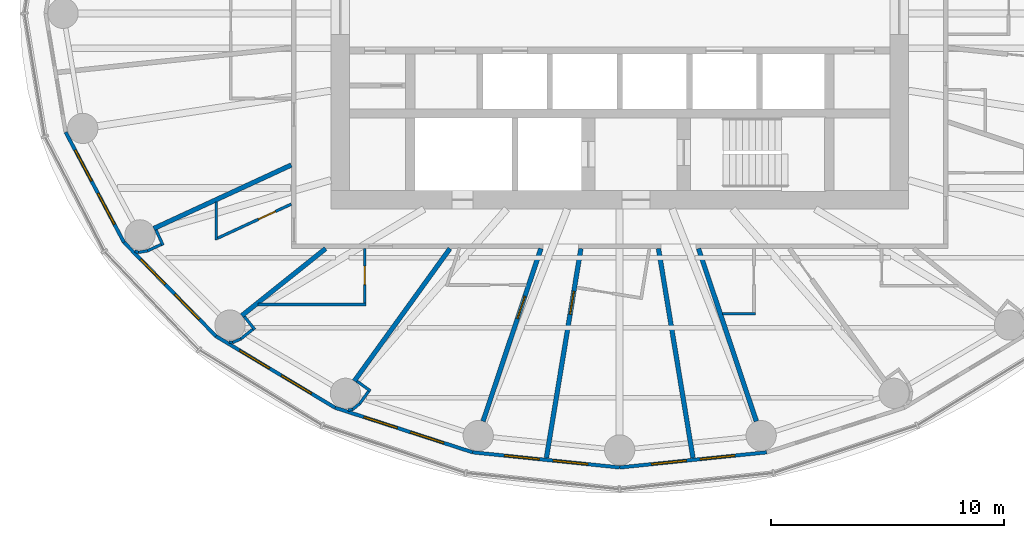
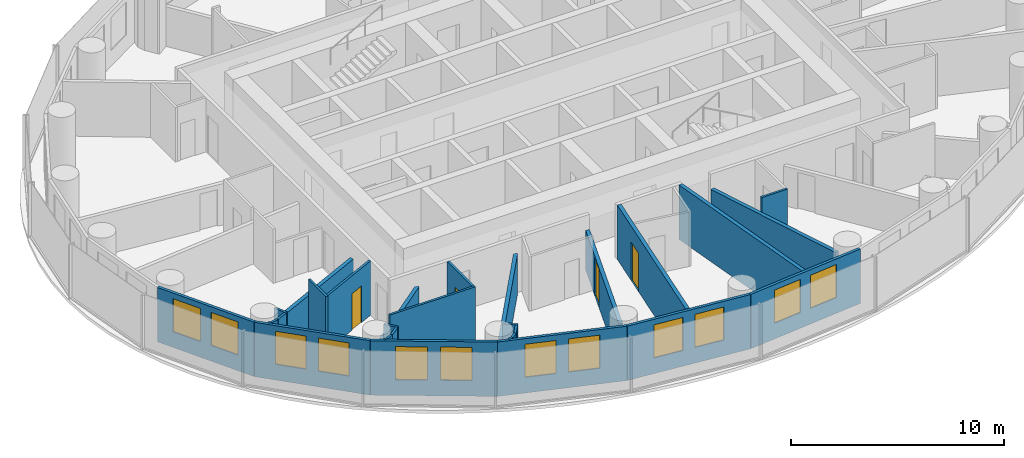
# One storey, part 6 of 13: 30 walls, 12 windows, 4 doors, 16 openings.
"""IFC4 building model written with IfcOpenShell, lengths in metres."""

from ifc_helpers import new_model, si_unit, direction, frame, frame_2d, origin, place, context, subcontext, project, spatial, rectangle, extrude, material, layer, layer_set, type_object, element, fill, save


model = new_model("IFC4")

# Units and contexts
model_context = context("Model", 3, precision=1e-05, world=origin(), true_north=direction((0.0, 1.0)))
body_context = subcontext(model_context, "Body", "Model", "MODEL_VIEW")
ifc_project = project(units=[si_unit("LENGTHUNIT", "METRE"), si_unit("AREAUNIT", "SQUARE_METRE"), si_unit("VOLUMEUNIT", "CUBIC_METRE"), si_unit("PLANEANGLEUNIT", "RADIAN"), si_unit("MASSUNIT", "GRAM", prefix="KILO")], contexts=[model_context])

# Site, building, storey
site_placement = place(None, origin())
site = spatial("IfcSite", under=ifc_project, at=site_placement, CompositionType="ELEMENT")
building_placement = place(site_placement, origin())
building = spatial("IfcBuilding", under=site, at=building_placement, Name="Hankou Lantern Tower", CompositionType="ELEMENT")
storey_placement = place(building_placement, frame((0.0, 0.0, 132.0)))
storey = spatial("IfcBuildingStorey", under=building, at=storey_placement, Name="L34", CompositionType="ELEMENT", Elevation=132.0)

# Wall, openings, windows
ifc_material_1 = material(Name="Aluminium spandrel panel on steel studs", Category="steel")
ifc_layer_1 = layer(ifc_material_1, 0.14990234375)
ifc_layer_set_1 = layer_set([ifc_layer_1], Name="Aluminium spandrel panel on steel studs")
wall_type_1 = type_object("IfcWallType", Name="EW1 INNER SKIN WALL 150", PredefinedType="ELEMENTEDWALL", material=ifc_layer_set_1)
wall_1_placement = place(storey_placement, frame((-23.7919921875, -5.10009765625, 0.0), z_axis=(0.0, 0.0, 1.0), x_axis=(0.467814388454, -0.883826735257, 0.0)))
wall_1 = element("IfcWall", 1, at=wall_1_placement, inside=storey, type_object=wall_type_1, Name="Inner skin R14-R15 L34", PredefinedType="ELEMENTEDWALL", context=body_context, shape_type="SweptSolid", body=[
    extrude(rectangle(XDim=5.35400390625, YDim=0.14990234375, at=frame_2d((2.677001953125, 0.0))), origin(), (0.0, 0.0, 1.0), 3.1201171875),
])
opening_1_placement = place(wall_1_placement, frame((0.876953125, 0.0, 0.89990234375)))
opening_1 = element("IfcOpeningElement", 2, at=opening_1_placement, cuts=wall_1, Name="Opening W2", PredefinedType="OPENING", context=body_context, shape_type="SweptSolid", body=[
    extrude(rectangle(XDim=1.5, YDim=1.89990234375, at=frame_2d((0.75, 0.949951171875))), frame((0.0, 0.0849609375, 0.0), z_axis=(0.0, -1.0, 0.0), x_axis=(1.0, 0.0, 0.0)), (0.0, 0.0, 1.0), 0.169921875),
])
opening_2_placement = place(wall_1_placement, frame((2.97705078125, 0.0, 0.89990234375)))
opening_2 = element("IfcOpeningElement", 3, at=opening_2_placement, cuts=wall_1, Name="Opening W2", PredefinedType="OPENING", context=body_context, shape_type="SweptSolid", body=[
    extrude(rectangle(XDim=1.5, YDim=1.89990234375, at=frame_2d((0.75, 0.949951171875))), frame((0.0, 0.0849609375, 0.0), z_axis=(0.0, -1.0, 0.0), x_axis=(1.0, 0.0, 0.0)), (0.0, 0.0, 1.0), 0.169921875),
])
ifc_material_2 = material(Name="Aluminium framed double glazed window", Category="aluminium")
window_type = type_object("IfcWindowType", Name="W2 GUEST ROOM WINDOW 1500X1900", PartitioningType="DOUBLE_PANEL_VERTICAL", PredefinedType="WINDOW", material=ifc_material_2)
window_1_placement = place(opening_1_placement, origin())
window_1 = element("IfcWindow", 4, at=window_1_placement, inside=storey, type_object=window_type, Name="Window R14.1 L34", OverallHeight=1.89990234375, OverallWidth=1.5, PartitioningType="SINGLE_PANEL", PredefinedType="WINDOW", context=body_context, shape_type="SweptSolid", body=[
    extrude(rectangle(XDim=1.5, YDim=1.89990234375, at=frame_2d((0.75, 0.949951171875))), frame((0.0, 0.030029296875, 0.0), z_axis=(0.0, -1.0, 0.0), x_axis=(1.0, 0.0, 0.0)), (0.0, 0.0, 1.0), 0.06005859375),
])
fill(opening_1, window_1)
window_2_placement = place(opening_2_placement, origin())
window_2 = element("IfcWindow", 5, at=window_2_placement, inside=storey, type_object=window_type, Name="Window R14.2 L34", OverallHeight=1.89990234375, OverallWidth=1.5, PartitioningType="SINGLE_PANEL", PredefinedType="WINDOW", context=body_context, shape_type="SweptSolid", body=[
    extrude(rectangle(XDim=1.5, YDim=1.89990234375, at=frame_2d((0.75, 0.949951171875))), frame((0.0, 0.030029296875, 0.0), z_axis=(0.0, -1.0, 0.0), x_axis=(1.0, 0.0, 0.0)), (0.0, 0.0, 1.0), 0.06005859375),
])
fill(opening_2, window_2)

wall_2_placement = place(storey_placement, frame((-21.287353515625, -9.83203125, 0.0), z_axis=(0.0, 0.0, 1.0), x_axis=(0.700136650834, -0.714008872605, 0.0)))
wall_2 = element("IfcWall", 6, at=wall_2_placement, inside=storey, type_object=wall_type_1, Name="Inner skin R15-R16 L34", PredefinedType="ELEMENTEDWALL", context=body_context, shape_type="SweptSolid", body=[
    extrude(rectangle(XDim=5.6494140625, YDim=0.14990234375, at=frame_2d((2.82470703125, 0.0))), origin(), (0.0, 0.0, 1.0), 3.1201171875),
])
opening_3_placement = place(wall_2_placement, frame((1.024658203125, 0.0, 0.89990234375)))
opening_3 = element("IfcOpeningElement", 7, at=opening_3_placement, cuts=wall_2, Name="Opening W2", PredefinedType="OPENING", context=body_context, shape_type="SweptSolid", body=[
    extrude(rectangle(XDim=1.5, YDim=1.89990234375, at=frame_2d((0.75, 0.949951171875))), frame((0.0, 0.0849609375, 0.0), z_axis=(0.0, -1.0, 0.0), x_axis=(1.0, 0.0, 0.0)), (0.0, 0.0, 1.0), 0.169921875),
])
opening_4_placement = place(wall_2_placement, frame((3.12451171875, 0.0, 0.89990234375)))
opening_4 = element("IfcOpeningElement", 8, at=opening_4_placement, cuts=wall_2, Name="Opening W2", PredefinedType="OPENING", context=body_context, shape_type="SweptSolid", body=[
    extrude(rectangle(XDim=1.5, YDim=1.89990234375, at=frame_2d((0.75, 0.949951171875))), frame((0.0, 0.0849609375, 0.0), z_axis=(0.0, -1.0, 0.0), x_axis=(1.0, 0.0, 0.0)), (0.0, 0.0, 1.0), 0.169921875),
])
window_3_placement = place(opening_3_placement, origin())
window_3 = element("IfcWindow", 9, at=window_3_placement, inside=storey, type_object=window_type, Name="Window R15.1 L34", OverallHeight=1.89990234375, OverallWidth=1.5, PartitioningType="SINGLE_PANEL", PredefinedType="WINDOW", context=body_context, shape_type="SweptSolid", body=[
    extrude(rectangle(XDim=1.5, YDim=1.89990234375, at=frame_2d((0.75, 0.949951171875))), frame((0.0, 0.030029296875, 0.0), z_axis=(0.0, -1.0, 0.0), x_axis=(1.0, 0.0, 0.0)), (0.0, 0.0, 1.0), 0.06005859375),
])
fill(opening_3, window_3)
window_4_placement = place(opening_4_placement, origin())
window_4 = element("IfcWindow", 10, at=window_4_placement, inside=storey, type_object=window_type, Name="Window R15.2 L34", OverallHeight=1.89990234375, OverallWidth=1.5, PartitioningType="SINGLE_PANEL", PredefinedType="WINDOW", context=body_context, shape_type="SweptSolid", body=[
    extrude(rectangle(XDim=1.5, YDim=1.89990234375, at=frame_2d((0.75, 0.949951171875))), frame((0.0, 0.030029296875, 0.0), z_axis=(0.0, -1.0, 0.0), x_axis=(1.0, 0.0, 0.0)), (0.0, 0.0, 1.0), 0.06005859375),
])
fill(opening_4, window_4)

wall_3_placement = place(storey_placement, frame((-17.33203125, -13.86572265625, 0.0), z_axis=(0.0, 0.0, 1.0), x_axis=(0.857308573723, -0.514802884044, 0.0)))
wall_3 = element("IfcWall", 11, at=wall_3_placement, inside=storey, type_object=wall_type_1, Name="Inner skin R16-R17 L34", PredefinedType="ELEMENTEDWALL", context=body_context, shape_type="SweptSolid", body=[
    extrude(rectangle(XDim=5.961181640625, YDim=0.14990234375, at=frame_2d((2.98046875, 0.0))), origin(), (0.0, 0.0, 1.0), 3.1201171875),
])
opening_5_placement = place(wall_3_placement, frame((1.1806640625, 0.0, 0.89990234375)))
opening_5 = element("IfcOpeningElement", 12, at=opening_5_placement, cuts=wall_3, Name="Opening W2", PredefinedType="OPENING", context=body_context, shape_type="SweptSolid", body=[
    extrude(rectangle(XDim=1.5, YDim=1.89990234375, at=frame_2d((0.75, 0.949951171875))), frame((0.0, 0.0849609375, 0.0), z_axis=(0.0, -1.0, 0.0), x_axis=(1.0, 0.0, 0.0)), (0.0, 0.0, 1.0), 0.169921875),
])
opening_6_placement = place(wall_3_placement, frame((3.280517578125, 0.0, 0.89990234375)))
opening_6 = element("IfcOpeningElement", 13, at=opening_6_placement, cuts=wall_3, Name="Opening W2", PredefinedType="OPENING", context=body_context, shape_type="SweptSolid", body=[
    extrude(rectangle(XDim=1.5, YDim=1.89990234375, at=frame_2d((0.75, 0.949951171875))), frame((0.0, 0.0849609375, 0.0), z_axis=(0.0, -1.0, 0.0), x_axis=(1.0, 0.0, 0.0)), (0.0, 0.0, 1.0), 0.169921875),
])
window_5_placement = place(opening_5_placement, origin())
window_5 = element("IfcWindow", 14, at=window_5_placement, inside=storey, type_object=window_type, Name="Window R16.1 L34", OverallHeight=1.89990234375, OverallWidth=1.5, PartitioningType="SINGLE_PANEL", PredefinedType="WINDOW", context=body_context, shape_type="SweptSolid", body=[
    extrude(rectangle(XDim=1.5, YDim=1.89990234375, at=frame_2d((0.75, 0.949951171875))), frame((0.0, 0.030029296875, 0.0), z_axis=(0.0, -1.0, 0.0), x_axis=(1.0, 0.0, 0.0)), (0.0, 0.0, 1.0), 0.06005859375),
])
fill(opening_5, window_5)
window_6_placement = place(opening_6_placement, origin())
window_6 = element("IfcWindow", 15, at=window_6_placement, inside=storey, type_object=window_type, Name="Window R16.2 L34", OverallHeight=1.89990234375, OverallWidth=1.5, PartitioningType="SINGLE_PANEL", PredefinedType="WINDOW", context=body_context, shape_type="SweptSolid", body=[
    extrude(rectangle(XDim=1.5, YDim=1.89990234375, at=frame_2d((0.75, 0.949951171875))), frame((0.0, 0.030029296875, 0.0), z_axis=(0.0, -1.0, 0.0), x_axis=(1.0, 0.0, 0.0)), (0.0, 0.0, 1.0), 0.06005859375),
])
fill(opening_6, window_6)

wall_4_placement = place(storey_placement, frame((-12.221435546875, -16.9345703125, 0.0), z_axis=(0.0, 0.0, 1.0), x_axis=(0.951272691506, -0.308350881944, 0.0)))
wall_4 = element("IfcWall", 16, at=wall_4_placement, inside=storey, type_object=wall_type_1, Name="Inner skin R17-R18 L34", PredefinedType="ELEMENTEDWALL", context=body_context, shape_type="SweptSolid", body=[
    extrude(rectangle(XDim=6.210693359375, YDim=0.14990234375, at=frame_2d((3.10546875, 0.0))), origin(), (0.0, 0.0, 1.0), 3.1201171875),
])
opening_7_placement = place(wall_4_placement, frame((1.305419921875, 0.0, 0.89990234375)))
opening_7 = element("IfcOpeningElement", 17, at=opening_7_placement, cuts=wall_4, Name="Opening W2", PredefinedType="OPENING", context=body_context, shape_type="SweptSolid", body=[
    extrude(rectangle(XDim=1.5, YDim=1.89990234375, at=frame_2d((0.75, 0.949951171875))), frame((0.0, 0.0849609375, 0.0), z_axis=(0.0, -1.0, 0.0), x_axis=(1.0, 0.0, 0.0)), (0.0, 0.0, 1.0), 0.169921875),
])
opening_8_placement = place(wall_4_placement, frame((3.4052734375, 0.0, 0.89990234375)))
opening_8 = element("IfcOpeningElement", 18, at=opening_8_placement, cuts=wall_4, Name="Opening W2", PredefinedType="OPENING", context=body_context, shape_type="SweptSolid", body=[
    extrude(rectangle(XDim=1.5, YDim=1.89990234375, at=frame_2d((0.75, 0.949951171875))), frame((0.0, 0.0849609375, 0.0), z_axis=(0.0, -1.0, 0.0), x_axis=(1.0, 0.0, 0.0)), (0.0, 0.0, 1.0), 0.169921875),
])
window_7_placement = place(opening_7_placement, origin())
window_7 = element("IfcWindow", 19, at=window_7_placement, inside=storey, type_object=window_type, Name="Window R17.1 L34", OverallHeight=1.89990234375, OverallWidth=1.5, PartitioningType="SINGLE_PANEL", PredefinedType="WINDOW", context=body_context, shape_type="SweptSolid", body=[
    extrude(rectangle(XDim=1.5, YDim=1.89990234375, at=frame_2d((0.75, 0.949951171875))), frame((0.0, 0.030029296875, 0.0), z_axis=(0.0, -1.0, 0.0), x_axis=(1.0, 0.0, 0.0)), (0.0, 0.0, 1.0), 0.06005859375),
])
fill(opening_7, window_7)
window_8_placement = place(opening_8_placement, origin())
window_8 = element("IfcWindow", 20, at=window_8_placement, inside=storey, type_object=window_type, Name="Window R17.2 L34", OverallHeight=1.89990234375, OverallWidth=1.5, PartitioningType="SINGLE_PANEL", PredefinedType="WINDOW", context=body_context, shape_type="SweptSolid", body=[
    extrude(rectangle(XDim=1.5, YDim=1.89990234375, at=frame_2d((0.75, 0.949951171875))), frame((0.0, 0.030029296875, 0.0), z_axis=(0.0, -1.0, 0.0), x_axis=(1.0, 0.0, 0.0)), (0.0, 0.0, 1.0), 0.06005859375),
])
fill(opening_8, window_8)

wall_5_placement = place(storey_placement, frame((-6.3134765625, -18.849609375, 0.0), z_axis=(0.0, 0.0, 1.0), x_axis=(0.994735690163, -0.102473931887, 0.0)))
wall_5 = element("IfcWall", 21, at=wall_5_placement, inside=storey, type_object=wall_type_1, Name="Inner skin R18-R19 L34", PredefinedType="ELEMENTEDWALL", context=body_context, shape_type="SweptSolid", body=[
    extrude(rectangle(XDim=6.346923828125, YDim=0.14990234375, at=frame_2d((3.17333984375, 0.0))), origin(), (0.0, 0.0, 1.0), 3.1201171875),
])
opening_9_placement = place(wall_5_placement, frame((1.373291015625, 0.0, 0.89990234375)))
opening_9 = element("IfcOpeningElement", 22, at=opening_9_placement, cuts=wall_5, Name="Opening W2", PredefinedType="OPENING", context=body_context, shape_type="SweptSolid", body=[
    extrude(rectangle(XDim=1.5, YDim=1.89990234375, at=frame_2d((0.75, 0.949951171875))), frame((0.0, 0.0849609375, 0.0), z_axis=(0.0, -1.0, 0.0), x_axis=(1.0, 0.0, 0.0)), (0.0, 0.0, 1.0), 0.169921875),
])
opening_10_placement = place(wall_5_placement, frame((3.473388671875, 0.0, 0.89990234375)))
opening_10 = element("IfcOpeningElement", 23, at=opening_10_placement, cuts=wall_5, Name="Opening W2", PredefinedType="OPENING", context=body_context, shape_type="SweptSolid", body=[
    extrude(rectangle(XDim=1.5, YDim=1.89990234375, at=frame_2d((0.75, 0.949951171875))), frame((0.0, 0.0849609375, 0.0), z_axis=(0.0, -1.0, 0.0), x_axis=(1.0, 0.0, 0.0)), (0.0, 0.0, 1.0), 0.169921875),
])
window_9_placement = place(opening_9_placement, origin())
window_9 = element("IfcWindow", 24, at=window_9_placement, inside=storey, type_object=window_type, Name="Window R18.1 L34", OverallHeight=1.89990234375, OverallWidth=1.5, PartitioningType="SINGLE_PANEL", PredefinedType="WINDOW", context=body_context, shape_type="SweptSolid", body=[
    extrude(rectangle(XDim=1.5, YDim=1.89990234375, at=frame_2d((0.75, 0.949951171875))), frame((0.0, 0.030029296875, 0.0), z_axis=(0.0, -1.0, 0.0), x_axis=(1.0, 0.0, 0.0)), (0.0, 0.0, 1.0), 0.06005859375),
])
fill(opening_9, window_9)
window_10_placement = place(opening_10_placement, origin())
window_10 = element("IfcWindow", 25, at=window_10_placement, inside=storey, type_object=window_type, Name="Window R18.2 L34", OverallHeight=1.89990234375, OverallWidth=1.5, PartitioningType="SINGLE_PANEL", PredefinedType="WINDOW", context=body_context, shape_type="SweptSolid", body=[
    extrude(rectangle(XDim=1.5, YDim=1.89990234375, at=frame_2d((0.75, 0.949951171875))), frame((0.0, 0.030029296875, 0.0), z_axis=(0.0, -1.0, 0.0), x_axis=(1.0, 0.0, 0.0)), (0.0, 0.0, 1.0), 0.06005859375),
])
fill(opening_10, window_10)

wall_6_placement = place(storey_placement, frame((0.0, -19.5, 0.0), z_axis=(0.0, 0.0, 1.0), x_axis=(0.994735690163, 0.102473931887, 0.0)))
wall_6 = element("IfcWall", 26, at=wall_6_placement, inside=storey, type_object=wall_type_1, Name="Inner skin R19-R20 L34", PredefinedType="ELEMENTEDWALL", context=body_context, shape_type="SweptSolid", body=[
    extrude(rectangle(XDim=6.346923828125, YDim=0.14990234375, at=frame_2d((3.17333984375, 0.0))), origin(), (0.0, 0.0, 1.0), 3.1201171875),
])
opening_11_placement = place(wall_6_placement, frame((1.373291015625, 0.0, 0.89990234375)))
opening_11 = element("IfcOpeningElement", 27, at=opening_11_placement, cuts=wall_6, Name="Opening W2", PredefinedType="OPENING", context=body_context, shape_type="SweptSolid", body=[
    extrude(rectangle(XDim=1.5, YDim=1.89990234375, at=frame_2d((0.75, 0.949951171875))), frame((0.0, 0.0849609375, 0.0), z_axis=(0.0, -1.0, 0.0), x_axis=(1.0, 0.0, 0.0)), (0.0, 0.0, 1.0), 0.169921875),
])
opening_12_placement = place(wall_6_placement, frame((3.473388671875, 0.0, 0.89990234375)))
opening_12 = element("IfcOpeningElement", 28, at=opening_12_placement, cuts=wall_6, Name="Opening W2", PredefinedType="OPENING", context=body_context, shape_type="SweptSolid", body=[
    extrude(rectangle(XDim=1.5, YDim=1.89990234375, at=frame_2d((0.75, 0.949951171875))), frame((0.0, 0.0849609375, 0.0), z_axis=(0.0, -1.0, 0.0), x_axis=(1.0, 0.0, 0.0)), (0.0, 0.0, 1.0), 0.169921875),
])
window_11_placement = place(opening_11_placement, origin())
window_11 = element("IfcWindow", 29, at=window_11_placement, inside=storey, type_object=window_type, Name="Window R19.1 L34", OverallHeight=1.89990234375, OverallWidth=1.5, PartitioningType="SINGLE_PANEL", PredefinedType="WINDOW", context=body_context, shape_type="SweptSolid", body=[
    extrude(rectangle(XDim=1.5, YDim=1.89990234375, at=frame_2d((0.75, 0.949951171875))), frame((0.0, 0.030029296875, 0.0), z_axis=(0.0, -1.0, 0.0), x_axis=(1.0, 0.0, 0.0)), (0.0, 0.0, 1.0), 0.06005859375),
])
fill(opening_11, window_11)
window_12_placement = place(opening_12_placement, origin())
window_12 = element("IfcWindow", 30, at=window_12_placement, inside=storey, type_object=window_type, Name="Window R19.2 L34", OverallHeight=1.89990234375, OverallWidth=1.5, PartitioningType="SINGLE_PANEL", PredefinedType="WINDOW", context=body_context, shape_type="SweptSolid", body=[
    extrude(rectangle(XDim=1.5, YDim=1.89990234375, at=frame_2d((0.75, 0.949951171875))), frame((0.0, 0.030029296875, 0.0), z_axis=(0.0, -1.0, 0.0), x_axis=(1.0, 0.0, 0.0)), (0.0, 0.0, 1.0), 0.06005859375),
])
fill(opening_12, window_12)

# Walls
ifc_material_3 = material(Name="Masonry lightweight concrete block", Category="masonry")
ifc_layer_2 = layer(ifc_material_3, 0.199951171875)
ifc_layer_set_2 = layer_set([ifc_layer_2], Name="Masonry lightweight concrete block")
wall_type_2 = type_object("IfcWallType", Name="IW1 GUEST ROOM PARTY WALL 200", PredefinedType="PARTITIONING", material=ifc_layer_set_2)
wall_7_placement = place(storey_placement, frame((-14.10009765625, -6.512451171875, 0.0), z_axis=(0.0, 0.0, 1.0), x_axis=(-0.907833019998, -0.419331858797, 0.0)))
element("IfcWall", 31, at=wall_7_placement, inside=storey, type_object=wall_type_2, Name="Party wall R15", PredefinedType="PARTITIONING", context=body_context, shape_type="SweptSolid", body=[
    extrude(rectangle(XDim=6.505126953125, YDim=0.199951171875, at=frame_2d((3.25244140625, 0.0))), origin(), (0.0, 0.0, 1.0), 2.219970703125),
])
wall_8_placement = place(storey_placement, frame((-12.625, -10.10009765625, 0.0), z_axis=(0.0, 0.0, 1.0), x_axis=(-0.780863644897, -0.624701503182, 0.0)))
element("IfcWall", 32, at=wall_8_placement, inside=storey, type_object=wall_type_2, Name="Party wall R16", PredefinedType="PARTITIONING", context=body_context, shape_type="SweptSolid", body=[
    extrude(rectangle(XDim=4.612060546875, YDim=0.199951171875, at=frame_2d((2.30615234375, 0.0))), origin(), (0.0, 0.0, 1.0), 2.27001953125),
])
wall_9_placement = place(storey_placement, frame((-7.2890625, -10.10009765625, 0.0), z_axis=(0.0, 0.0, 1.0), x_axis=(-0.585217367024, -0.81087645997, 0.0)))
element("IfcWall", 33, at=wall_9_placement, inside=storey, type_object=wall_type_2, Name="Party wall R17", PredefinedType="PARTITIONING", context=body_context, shape_type="SweptSolid", body=[
    extrude(rectangle(XDim=7.01611328125, YDim=0.199951171875, at=frame_2d((3.508056640625, 0.0))), origin(), (0.0, 0.0, 1.0), 2.27001953125),
])

# Wall, opening, door
ifc_material_4 = material(Name="Masonry lightweight concrete block", Category="masonry")
ifc_layer_3 = layer(ifc_material_4, 0.199951171875)
ifc_layer_set_3 = layer_set([ifc_layer_3], Name="Masonry lightweight concrete block")
wall_type_3 = type_object("IfcWallType", Name="IW2 CORRIDOR WALL 200", PredefinedType="PARTITIONING", material=ifc_layer_set_3)
wall_10_placement = place(storey_placement, frame((-3.3828125, -10.10009765625, 0.0), z_axis=(0.0, 0.0, 1.0), x_axis=(-0.317603705574, -0.948223542318, 0.0)))
wall_10 = element("IfcWall", 34, at=wall_10_placement, inside=storey, type_object=wall_type_3, Name="Corridor spur wall R18", PredefinedType="PARTITIONING", context=body_context, shape_type="SweptSolid", body=[
    extrude(rectangle(XDim=7.822998046875, YDim=0.199951171875, at=frame_2d((3.91162109375, 0.0))), origin(), (0.0, 0.0, 1.0), 2.27001953125),
])
opening_13_placement = place(wall_10_placement, frame((2.168212890625, 0.0, 0.0)))
opening_13 = element("IfcOpeningElement", 35, at=opening_13_placement, cuts=wall_10, Name="Opening D1", PredefinedType="OPENING", context=body_context, shape_type="SweptSolid", body=[
    extrude(rectangle(XDim=1.0, YDim=2.199951171875, at=frame_2d((0.5, 1.10009765625))), frame((0.0, 0.10986328125, 0.0), z_axis=(0.0, -1.0, 0.0), x_axis=(1.0, 0.0, 0.0)), (0.0, 0.0, 1.0), 0.219970703125),
])
ifc_material_5 = material(Name="Steel door leaf", Category="steel")
door_type_1 = type_object("IfcDoorType", Name="D1 GUEST ROOM DOOR 1000X2200", OperationType="SINGLE_SWING_LEFT", PredefinedType="DOOR", material=ifc_material_5)
door_1_placement = place(opening_13_placement, origin())
door_1 = element("IfcDoor", 36, at=door_1_placement, inside=storey, type_object=door_type_1, Name="Guest room door 3410", OperationType="SINGLE_SWING_LEFT", OverallHeight=2.199951171875, OverallWidth=1.0, PredefinedType="DOOR", context=body_context, shape_type="SweptSolid", body=[
    extrude(rectangle(XDim=1.0, YDim=2.199951171875, at=frame_2d((0.5, 1.10009765625))), frame((0.0, 0.02490234375, 0.0), z_axis=(0.0, -1.0, 0.0), x_axis=(1.0, 0.0, 0.0)), (0.0, 0.0, 1.0), 0.050048828125),
])
fill(opening_13, door_1)

wall_11_placement = place(storey_placement, frame((-1.665283203125, -10.10009765625, 0.0), z_axis=(0.0, 0.0, 1.0), x_axis=(-0.162660519103, -0.986682094459, 0.0)))
wall_11 = element("IfcWall", 37, at=wall_11_placement, inside=storey, type_object=wall_type_3, Name="Corridor spur wall R18-R19", PredefinedType="PARTITIONING", context=body_context, shape_type="SweptSolid", body=[
    extrude(rectangle(XDim=9.110595703125, YDim=0.199951171875, at=frame_2d((4.55517578125, 0.0))), origin(), (0.0, 0.0, 1.0), 3.1201171875),
])
opening_14_placement = place(wall_11_placement, frame((1.860107421875, 0.0, 0.0)))
opening_14 = element("IfcOpeningElement", 38, at=opening_14_placement, cuts=wall_11, Name="Opening D1", PredefinedType="OPENING", context=body_context, shape_type="SweptSolid", body=[
    extrude(rectangle(XDim=1.0, YDim=2.199951171875, at=frame_2d((0.5, 1.10009765625))), frame((0.0, 0.10986328125, 0.0), z_axis=(0.0, -1.0, 0.0), x_axis=(1.0, 0.0, 0.0)), (0.0, 0.0, 1.0), 0.219970703125),
])
door_2_placement = place(opening_14_placement, origin())
door_2 = element("IfcDoor", 39, at=door_2_placement, inside=storey, type_object=door_type_1, Name="Guest room door 3412", OperationType="SINGLE_SWING_LEFT", OverallHeight=2.199951171875, OverallWidth=1.0, PredefinedType="DOOR", context=body_context, shape_type="SweptSolid", body=[
    extrude(rectangle(XDim=1.0, YDim=2.199951171875, at=frame_2d((0.5, 1.10009765625))), frame((0.0, 0.02490234375, 0.0), z_axis=(0.0, -1.0, 0.0), x_axis=(1.0, 0.0, 0.0)), (0.0, 0.0, 1.0), 0.050048828125),
])
fill(opening_14, door_2)

# Walls
wall_12_placement = place(storey_placement, frame((1.665283203125, -10.10009765625, 0.0), z_axis=(0.0, 0.0, 1.0), x_axis=(0.162660519103, -0.986682094459, 0.0)))
element("IfcWall", 40, at=wall_12_placement, inside=storey, type_object=wall_type_3, Name="Corridor spur wall R19-R20", PredefinedType="PARTITIONING", context=body_context, shape_type="SweptSolid", body=[
    extrude(rectangle(XDim=9.110595703125, YDim=0.199951171875, at=frame_2d((4.55517578125, 0.0))), origin(), (0.0, 0.0, 1.0), 3.1201171875),
])
wall_13_placement = place(storey_placement, frame((3.3828125, -10.10009765625, 0.0), z_axis=(0.0, 0.0, 1.0), x_axis=(0.317603705574, -0.948223542318, 0.0)))
element("IfcWall", 41, at=wall_13_placement, inside=storey, type_object=wall_type_3, Name="Corridor spur wall R20", PredefinedType="PARTITIONING", context=body_context, shape_type="SweptSolid", body=[
    extrude(rectangle(XDim=7.822998046875, YDim=0.199951171875, at=frame_2d((3.91162109375, 0.0))), origin(), (0.0, 0.0, 1.0), 2.27001953125),
])
ifc_material_6 = material(Name="Masonry lightweight concrete block", Category="masonry")
ifc_layer_4 = layer(ifc_material_6, 0.1201171875)
ifc_layer_set_4 = layer_set([ifc_layer_4], Name="Masonry lightweight concrete block")
wall_type_4 = type_object("IfcWallType", Name="IW3 BATHROOM WALL 120", PredefinedType="PARTITIONING", material=ifc_layer_set_4)
wall_14_placement = place(storey_placement, frame((-17.32275390625, -8.10107421875, 0.0), z_axis=(0.0, 0.0, 1.0), x_axis=(0.0, -1.0, 0.0)))
element("IfcWall", 42, at=wall_14_placement, inside=storey, type_object=wall_type_4, Name="Box wall 3408 1", PredefinedType="PARTITIONING", context=body_context, shape_type="SweptSolid", body=[
    extrude(rectangle(XDim=1.639892578125, YDim=0.1201171875, at=frame_2d((0.81982421875, 0.0))), origin(), (0.0, 0.0, 1.0), 3.1201171875),
])

# Wall, opening, door
wall_15_placement = place(storey_placement, frame((-14.10009765625, -8.192626953125, 0.0), z_axis=(0.0, 0.0, 1.0), x_axis=(-0.907836493557, -0.419324338628, 0.0)))
wall_15 = element("IfcWall", 43, at=wall_15_placement, inside=storey, type_object=wall_type_4, Name="Box wall 3408 1", PredefinedType="PARTITIONING", context=body_context, shape_type="SweptSolid", body=[
    extrude(rectangle(XDim=3.48974609375, YDim=0.1201171875, at=frame_2d((1.744873046875, 0.0))), origin(), (0.0, 0.0, 1.0), 3.1201171875),
])
opening_15_placement = place(wall_15_placement, frame((0.75, 0.0, 0.0)))
opening_15 = element("IfcOpeningElement", 44, at=opening_15_placement, cuts=wall_15, Name="Opening D3", PredefinedType="OPENING", context=body_context, shape_type="SweptSolid", body=[
    extrude(rectangle(XDim=0.800048828125, YDim=2.10009765625, at=frame_2d((0.39990234375, 1.050048828125))), frame((0.0, 0.070068359375, 0.0), z_axis=(0.0, -1.0, 0.0), x_axis=(1.0, 0.0, 0.0)), (0.0, 0.0, 1.0), 0.14013671875),
])
ifc_material_7 = material(Name="Timber door leaf", Category="wood")
door_type_2 = type_object("IfcDoorType", Name="D3 BATHROOM DOOR 800X2100", OperationType="SINGLE_SWING_LEFT", PredefinedType="DOOR", material=ifc_material_7)
door_3_placement = place(opening_15_placement, origin())
door_3 = element("IfcDoor", 45, at=door_3_placement, inside=storey, type_object=door_type_2, Name="En-suite bathroom 3408 door", OperationType="SINGLE_SWING_LEFT", OverallHeight=2.10009765625, OverallWidth=0.800048828125, PredefinedType="DOOR", context=body_context, shape_type="SweptSolid", body=[
    extrude(rectangle(XDim=0.800048828125, YDim=2.10009765625, at=frame_2d((0.39990234375, 1.050048828125))), frame((0.0, 0.02490234375, 0.0), z_axis=(0.0, -1.0, 0.0), x_axis=(1.0, 0.0, 0.0)), (0.0, 0.0, 1.0), 0.050048828125),
])
fill(opening_15, door_3)

# Wall
wall_16_placement = place(storey_placement, frame((-15.52490234375, -12.5, 0.0), z_axis=(0.0, 0.0, 1.0), x_axis=(1.0, 0.0, 0.0)))
element("IfcWall", 46, at=wall_16_placement, inside=storey, type_object=wall_type_4, Name="Box wall 3409 1", PredefinedType="PARTITIONING", context=body_context, shape_type="SweptSolid", body=[
    extrude(rectangle(XDim=4.639892578125, YDim=0.1201171875, at=frame_2d((2.31982421875, 0.0))), origin(), (0.0, 0.0, 1.0), 3.1201171875),
])

# Wall, opening, door
wall_17_placement = place(storey_placement, frame((-10.945068359375, -10.10009765625, 0.0), z_axis=(0.0, 0.0, 1.0), x_axis=(0.0, -1.0, 0.0)))
wall_17 = element("IfcWall", 47, at=wall_17_placement, inside=storey, type_object=wall_type_4, Name="Box wall 3409 1", PredefinedType="PARTITIONING", context=body_context, shape_type="SweptSolid", body=[
    extrude(rectangle(XDim=2.33984375, YDim=0.1201171875, at=frame_2d((1.169921875, 0.0))), origin(), (0.0, 0.0, 1.0), 3.1201171875),
])
opening_16_placement = place(wall_17_placement, frame((0.75, 0.0, 0.0)))
opening_16 = element("IfcOpeningElement", 48, at=opening_16_placement, cuts=wall_17, Name="Opening D3", PredefinedType="OPENING", context=body_context, shape_type="SweptSolid", body=[
    extrude(rectangle(XDim=0.800048828125, YDim=2.10009765625, at=frame_2d((0.39990234375, 1.050048828125))), frame((0.0, 0.070068359375, 0.0), z_axis=(0.0, -1.0, 0.0), x_axis=(1.0, 0.0, 0.0)), (0.0, 0.0, 1.0), 0.14013671875),
])
door_4_placement = place(opening_16_placement, origin())
door_4 = element("IfcDoor", 49, at=door_4_placement, inside=storey, type_object=door_type_2, Name="En-suite bathroom 3409 door", OperationType="SINGLE_SWING_LEFT", OverallHeight=2.10009765625, OverallWidth=0.800048828125, PredefinedType="DOOR", context=body_context, shape_type="SweptSolid", body=[
    extrude(rectangle(XDim=0.800048828125, YDim=2.10009765625, at=frame_2d((0.39990234375, 1.050048828125))), frame((0.0, 0.02490234375, 0.0), z_axis=(0.0, -1.0, 0.0), x_axis=(1.0, 0.0, 0.0)), (0.0, 0.0, 1.0), 0.050048828125),
])
fill(opening_16, door_4)

# Walls
wall_18_placement = place(storey_placement, frame((4.420654296875, -12.89990234375, 0.0), z_axis=(0.0, 0.0, 1.0), x_axis=(1.0, 0.0, 0.0)))
element("IfcWall", 50, at=wall_18_placement, inside=storey, type_object=wall_type_4, Name="Box wall 3414A 1", PredefinedType="PARTITIONING", context=body_context, shape_type="SweptSolid", body=[
    extrude(rectangle(XDim=1.402099609375, YDim=0.1201171875, at=frame_2d((0.701171875, 0.0))), origin(), (0.0, 0.0, 1.0), 3.1201171875),
])
ifc_material_8 = material(Name="Masonry lightweight concrete block", Category="masonry")
ifc_layer_5 = layer(ifc_material_8, 0.1201171875)
ifc_layer_set_5 = layer_set([ifc_layer_5], Name="Masonry lightweight concrete block")
wall_type_5 = type_object("IfcWallType", Name="IW4 PARTITION 120", PredefinedType="PARTITIONING", material=ifc_layer_set_5)
wall_19_placement = place(storey_placement, frame((-19.9091796875, -9.305908203125, 0.0), z_axis=(0.0, 0.0, 1.0), x_axis=(0.419296148934, -0.90784951368, 0.0)))
element("IfcWall", 51, at=wall_19_placement, inside=storey, type_object=wall_type_5, Name="Column casing R15 return", PredefinedType="PARTITIONING", context=body_context, shape_type="SweptSolid", body=[
    extrude(rectangle(XDim=0.715576171875, YDim=0.1201171875, at=frame_2d((0.35791015625, 0.0))), origin(), (0.0, 0.0, 1.0), 3.1201171875),
])
wall_20_placement = place(storey_placement, frame((-19.688720703125, -9.92626953125, 0.0), z_axis=(0.0, 0.0, 1.0), x_axis=(-0.907893409272, -0.419201094227, 0.0)))
element("IfcWall", 52, at=wall_20_placement, inside=storey, type_object=wall_type_5, Name="Column casing R15", PredefinedType="PARTITIONING", context=body_context, shape_type="SweptSolid", body=[
    extrude(rectangle(XDim=0.64990234375, YDim=0.1201171875, at=frame_2d((0.324951171875, 0.0))), origin(), (0.0, 0.0, 1.0), 3.1201171875),
])
wall_21_placement = place(storey_placement, frame((-20.27880859375, -10.19873046875, 0.0), z_axis=(0.0, 0.0, 1.0), x_axis=(-0.985380740712, -0.170366651181, 0.0)))
element("IfcWall", 53, at=wall_21_placement, inside=storey, type_object=wall_type_5, Name="Column casing R15", PredefinedType="PARTITIONING", context=body_context, shape_type="SweptSolid", body=[
    extrude(rectangle(XDim=0.39111328125, YDim=0.1201171875, at=frame_2d((0.195556640625, 0.0))), origin(), (0.0, 0.0, 1.0), 3.1201171875),
])
wall_22_placement = place(storey_placement, frame((-20.664306640625, -10.265380859375, 0.0), z_axis=(0.0, 0.0, 1.0), x_axis=(-0.938058651481, 0.346476501918, 0.0)))
element("IfcWall", 54, at=wall_22_placement, inside=storey, type_object=wall_type_5, Name="Column casing R15", PredefinedType="PARTITIONING", context=body_context, shape_type="SweptSolid", body=[
    extrude(rectangle(XDim=0.161376953125, YDim=0.1201171875, at=frame_2d((0.08056640625, 0.0))), origin(), (0.0, 0.0, 1.0), 3.1201171875),
])
wall_23_placement = place(storey_placement, frame((-16.116943359375, -13.021728515625, 0.0), z_axis=(0.0, 0.0, 1.0), x_axis=(0.62465344249, -0.780902091677, 0.0)))
element("IfcWall", 55, at=wall_23_placement, inside=storey, type_object=wall_type_5, Name="Column casing R16 return", PredefinedType="PARTITIONING", context=body_context, shape_type="SweptSolid", body=[
    extrude(rectangle(XDim=0.715576171875, YDim=0.1201171875, at=frame_2d((0.35791015625, 0.0))), origin(), (0.0, 0.0, 1.0), 3.1201171875),
])
wall_24_placement = place(storey_placement, frame((-15.754150390625, -13.5712890625, 0.0), z_axis=(0.0, 0.0, 1.0), x_axis=(-0.780905453553, -0.624649239663, 0.0)))
element("IfcWall", 56, at=wall_24_placement, inside=storey, type_object=wall_type_5, Name="Column casing R16", PredefinedType="PARTITIONING", context=body_context, shape_type="SweptSolid", body=[
    extrude(rectangle(XDim=0.64990234375, YDim=0.1201171875, at=frame_2d((0.324951171875, 0.0))), origin(), (0.0, 0.0, 1.0), 3.1201171875),
])
wall_25_placement = place(storey_placement, frame((-16.26171875, -13.977294921875, 0.0), z_axis=(0.0, 0.0, 1.0), x_axis=(-0.915985403703, -0.401211590314, 0.0)))
element("IfcWall", 57, at=wall_25_placement, inside=storey, type_object=wall_type_5, Name="Column casing R16", PredefinedType="PARTITIONING", context=body_context, shape_type="SweptSolid", body=[
    extrude(rectangle(XDim=0.391357421875, YDim=0.1201171875, at=frame_2d((0.19580078125, 0.0))), origin(), (0.0, 0.0, 1.0), 3.1201171875),
])
wall_26_placement = place(storey_placement, frame((-16.6201171875, -14.13427734375, 0.0), z_axis=(0.0, 0.0, 1.0), x_axis=(-0.993941871493, 0.109907033867, 0.0)))
element("IfcWall", 58, at=wall_26_placement, inside=storey, type_object=wall_type_5, Name="Column casing R16", PredefinedType="PARTITIONING", context=body_context, shape_type="SweptSolid", body=[
    extrude(rectangle(XDim=0.1533203125, YDim=0.1201171875, at=frame_2d((0.07666015625, 0.0))), origin(), (0.0, 0.0, 1.0), 3.1201171875),
])
wall_27_placement = place(storey_placement, frame((-11.27880859375, -15.799072265625, 0.0), z_axis=(0.0, 0.0, 1.0), x_axis=(0.810912957127, -0.585166793285, 0.0)))
element("IfcWall", 59, at=wall_27_placement, inside=storey, type_object=wall_type_5, Name="Column casing R17 return", PredefinedType="PARTITIONING", context=body_context, shape_type="SweptSolid", body=[
    extrude(rectangle(XDim=0.7158203125, YDim=0.1201171875, at=frame_2d((0.35791015625, 0.0))), origin(), (0.0, 0.0, 1.0), 3.1201171875),
])
wall_28_placement = place(storey_placement, frame((-10.781982421875, -16.2314453125, 0.0), z_axis=(0.0, 0.0, 1.0), x_axis=(-0.585175102182, -0.810906961239, 0.0)))
element("IfcWall", 60, at=wall_28_placement, inside=storey, type_object=wall_type_5, Name="Column casing R17", PredefinedType="PARTITIONING", context=body_context, shape_type="SweptSolid", body=[
    extrude(rectangle(XDim=0.64990234375, YDim=0.1201171875, at=frame_2d((0.324951171875, 0.0))), origin(), (0.0, 0.0, 1.0), 3.1201171875),
])
wall_29_placement = place(storey_placement, frame((-11.162353515625, -16.758544921875, 0.0), z_axis=(0.0, 0.0, 1.0), x_axis=(-0.775178428527, -0.63174235567, 0.0)))
element("IfcWall", 61, at=wall_29_placement, inside=storey, type_object=wall_type_5, Name="Column casing R17", PredefinedType="PARTITIONING", context=body_context, shape_type="SweptSolid", body=[
    extrude(rectangle(XDim=0.3916015625, YDim=0.1201171875, at=frame_2d((0.19580078125, 0.0))), origin(), (0.0, 0.0, 1.0), 3.1201171875),
])
wall_30_placement = place(storey_placement, frame((-11.4658203125, -17.005859375, 0.0), z_axis=(0.0, 0.0, 1.0), x_axis=(-0.987228877621, -0.15930832744, 0.0)))
element("IfcWall", 62, at=wall_30_placement, inside=storey, type_object=wall_type_5, Name="Column casing R17", PredefinedType="PARTITIONING", context=body_context, shape_type="SweptSolid", body=[
    extrude(rectangle(XDim=0.202392578125, YDim=0.1201171875, at=frame_2d((0.10107421875, 0.0))), origin(), (0.0, 0.0, 1.0), 3.1201171875),
])

save(model, "model.ifc")
